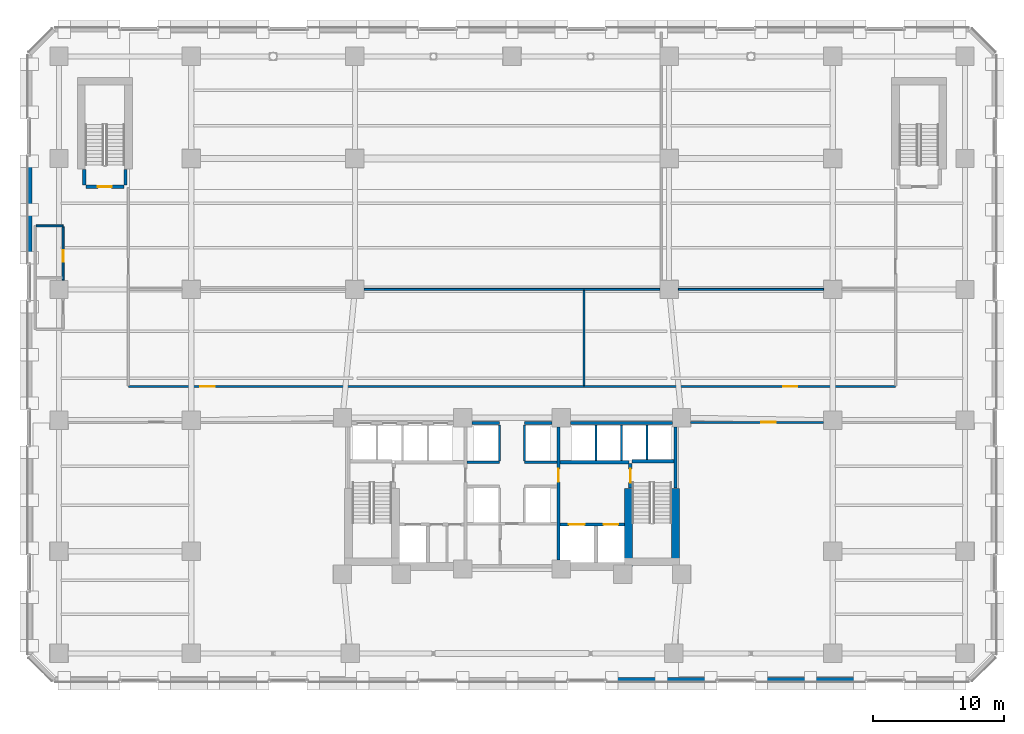
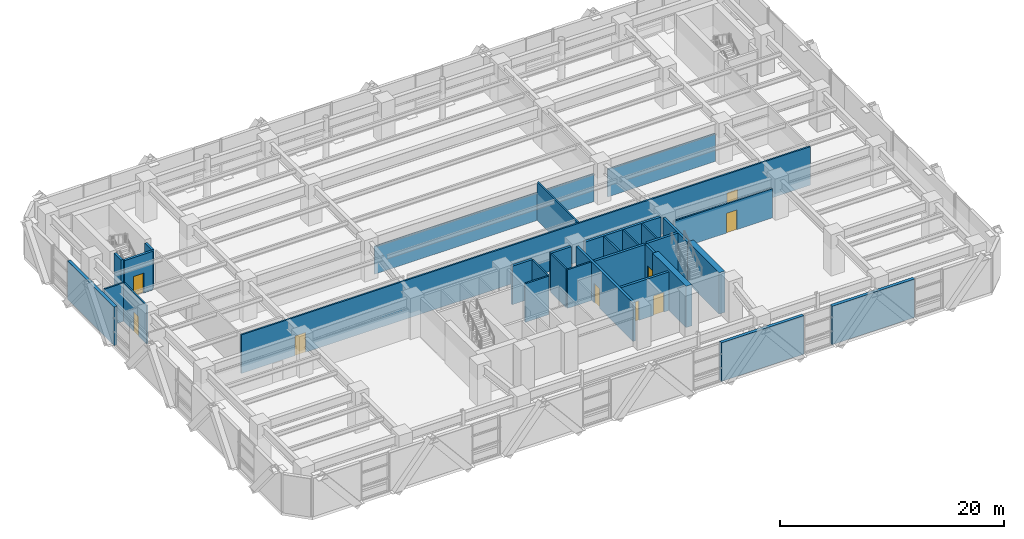
# One storey, part 15 of 26: 31 walls, 9 doors, 9 openings.
"""IFC4 building model written with IfcOpenShell, lengths in metres."""

from ifc_helpers import new_model, si_unit, direction, frame, frame_2d, origin, place, context, subcontext, project, spatial, rectangle, extrude, material, layer, layer_set, type_object, element, fill, save


model = new_model("IFC4")

# Units and contexts
model_context = context("Model", 3, precision=1e-05, world=origin(), true_north=direction((0.0, 1.0)))
body_context = subcontext(model_context, "Body", "Model", "MODEL_VIEW")
ifc_project = project(units=[si_unit("LENGTHUNIT", "METRE"), si_unit("AREAUNIT", "SQUARE_METRE"), si_unit("VOLUMEUNIT", "CUBIC_METRE"), si_unit("PLANEANGLEUNIT", "RADIAN"), si_unit("MASSUNIT", "GRAM", prefix="KILO")], contexts=[model_context])

# Site, building, storey
site_placement = place(None, origin())
site = spatial("IfcSite", under=ifc_project, at=site_placement, CompositionType="ELEMENT")
building_placement = place(site_placement, origin())
building = spatial("IfcBuilding", under=site, at=building_placement, Name="Quenlor Broadcast Tower", CompositionType="ELEMENT")
storey_placement = place(building_placement, frame((0.0, 0.0, 14.0)))
storey = spatial("IfcBuildingStorey", under=building, at=storey_placement, Name="L03", CompositionType="ELEMENT", Elevation=14.0)

# Walls
ifc_material_1 = material(Name="Acoustic Double Stud Gypsum Partition", Category="other")
ifc_layer_1 = layer(ifc_material_1, 0.14990234375)
ifc_layer_set_1 = layer_set([ifc_layer_1], Name="Broadcast Studio Acoustic Partition 150")
wall_type_1 = type_object("IfcWallType", Name="Broadcast Studio Acoustic Partition 150", PredefinedType="PARTITIONING", material=ifc_layer_set_1)
wall_1_placement = place(storey_placement, frame((5.5, -2.337890625, 0.0), z_axis=(0.0, 0.0, 1.0), x_axis=(0.0, 1.0, 0.0)))
element("IfcWall", 1, at=wall_1_placement, inside=storey, type_object=wall_type_1, Name="L03 Interior Wall PW-PD-VX", PredefinedType="PARTITIONING", context=body_context, shape_type="SweptSolid", body=[
    extrude(rectangle(XDim=7.2578125, YDim=0.14990234375, at=frame_2d((3.62890625, 0.0))), origin(), (0.0, 0.0, 1.0), 4.199951171875),
])
wall_2_placement = place(storey_placement, frame((-11.298095703125, 5.0, 0.0), z_axis=(0.0, 0.0, 1.0), x_axis=(1.0, 0.0, 0.0)))
element("IfcWall", 2, at=wall_2_placement, inside=storey, type_object=wall_type_1, Name="L03 Interior Wall PW-PD-HYS3", PredefinedType="PARTITIONING", context=body_context, shape_type="SweptSolid", body=[
    extrude(rectangle(XDim=22.59619140625, YDim=0.14990234375, at=frame_2d((11.298095703125, 0.0))), origin(), (0.0, 0.0, 1.0), 3.0),
])
wall_3_placement = place(storey_placement, frame((12.701904296875, 5.0, 0.0), z_axis=(0.0, 0.0, 1.0), x_axis=(1.0, 0.0, 0.0)))
element("IfcWall", 3, at=wall_3_placement, inside=storey, type_object=wall_type_1, Name="L03 Interior Wall PW-PD-HYS4", PredefinedType="PARTITIONING", context=body_context, shape_type="SweptSolid", body=[
    extrude(rectangle(XDim=11.09619140625, YDim=0.14990234375, at=frame_2d((5.548095703125, 0.0))), origin(), (0.0, 0.0, 1.0), 3.011962890625),
])

# Wall, opening, door
wall_4_placement = place(storey_placement, frame((-34.280029296875, 5.701904296875, 0.0), z_axis=(0.0, 0.0, 1.0), x_axis=(0.0, 1.0, 0.0)))
wall_4 = element("IfcWall", 4, at=wall_4_placement, inside=storey, type_object=wall_type_1, Name="L03 Interior Wall PW-PD-WCES2", PredefinedType="PARTITIONING", context=body_context, shape_type="SweptSolid", body=[
    extrude(rectangle(XDim=4.088134765625, YDim=0.14990234375, at=frame_2d((2.0439453125, 0.0))), origin(), (0.0, 0.0, 1.0), 4.199951171875),
])
opening_1_placement = place(wall_4_placement, frame((1.407958984375, 0.0, 0.0)))
opening_1 = element("IfcOpeningElement", 5, at=opening_1_placement, cuts=wall_4, Name="Opening ID-3", PredefinedType="OPENING", context=body_context, shape_type="SweptSolid", body=[
    extrude(rectangle(XDim=0.89990234375, YDim=2.1201171875, at=frame_2d((0.449951171875, 1.06005859375))), frame((0.0, 0.0849609375, 0.0), z_axis=(0.0, -1.0, 0.0), x_axis=(1.0, 0.0, 0.0)), (0.0, 0.0, 1.0), 0.169921875),
])
ifc_material_2 = material(Name="Moisture Resistant Timber Oak", Category="wood")
door_type_1 = type_object("IfcDoorType", Name="Washroom Privacy Door 900x2120", OperationType="NOTDEFINED", PredefinedType="DOOR", material=ifc_material_2)
door_1_placement = place(opening_1_placement, origin())
door_1 = element("IfcDoor", 6, at=door_1_placement, inside=storey, type_object=door_type_1, Name="L03 Door DR-PD-FWC", OperationType="SINGLE_SWING_RIGHT", OverallHeight=2.1201171875, OverallWidth=0.89990234375, PredefinedType="DOOR", context=body_context, shape_type="SweptSolid", body=[
    extrude(rectangle(XDim=0.89990234375, YDim=2.1201171875, at=frame_2d((0.449951171875, 1.06005859375))), frame((0.0, 0.02490234375, 0.0), z_axis=(0.0, -1.0, 0.0), x_axis=(1.0, 0.0, 0.0)), (0.0, 0.0, 1.0), 0.050048828125),
])
fill(opening_1, door_1)

# Walls
wall_5_placement = place(storey_placement, frame((-36.343017578125, 9.85009765625, 0.0), z_axis=(0.0, 0.0, 1.0), x_axis=(1.0, 0.0, 0.0)))
element("IfcWall", 7, at=wall_5_placement, inside=storey, type_object=wall_type_1, Name="L03 Interior Wall PW-PD-WCN", PredefinedType="PARTITIONING", context=body_context, shape_type="SweptSolid", body=[
    extrude(rectangle(XDim=2.06298828125, YDim=0.14990234375, at=frame_2d((1.031494140625, 0.0))), origin(), (0.0, 0.0, 1.0), 4.199951171875),
])
ifc_material_3 = material(Name="Concrete C65/80", Category="concrete")
ifc_layer_2 = layer(ifc_material_3, 0.60009765625)
ifc_layer_set_2 = layer_set([ifc_layer_2], Name="Core Concrete C65/80 Shear Wall 600")
wall_type_2 = type_object("IfcWallType", Name="Core Concrete C65/80 Shear Wall 600", PredefinedType="SHEAR", material=ifc_layer_set_2)
wall_6_placement = place(storey_placement, frame((12.5, -15.800048828125, 0.0), z_axis=(0.0, 0.0, 1.0), x_axis=(0.0, 1.0, 0.0)))
element("IfcWall", 8, at=wall_6_placement, inside=storey, type_object=wall_type_2, Name="L03 Core Shear Wall WF-E", PredefinedType="SHEAR", context=body_context, shape_type="SweptSolid", body=[
    extrude(rectangle(XDim=5.60009765625, YDim=0.60009765625, at=frame_2d((2.800048828125, 0.0))), origin(), (0.0, 0.0, 1.0), 4.5),
])
wall_7_placement = place(storey_placement, frame((8.89990234375, -16.14990234375, 0.0), z_axis=(0.0, 0.0, 1.0), x_axis=(0.0, 1.0, 0.0)))
element("IfcWall", 9, at=wall_7_placement, inside=storey, type_object=wall_type_2, Name="L03 Core Shear Wall WI-E", PredefinedType="SHEAR", context=body_context, shape_type="SweptSolid", body=[
    extrude(rectangle(XDim=5.949951171875, YDim=0.60009765625, at=frame_2d((2.97509765625, 0.0))), origin(), (0.0, 0.0, 1.0), 4.5),
])

# Wall, opening, door
ifc_material_4 = material(Name="Concrete C40/50", Category="concrete")
ifc_layer_3 = layer(ifc_material_4, 0.25)
ifc_layer_set_3 = layer_set([ifc_layer_3], Name="Fire Rated Concrete C40/50 Core Wall 250")
wall_type_3 = type_object("IfcWallType", Name="Fire Rated Concrete C40/50 Core Wall 250", PredefinedType="PARTITIONING", material=ifc_layer_set_3)
wall_8_placement = place(storey_placement, frame((9.0400390625, -10.179931640625, 0.0), z_axis=(0.0, 0.0, 1.0), x_axis=(0.0, 1.0, 0.0)))
wall_8 = element("IfcWall", 10, at=wall_8_placement, inside=storey, type_object=wall_type_3, Name="L03 Interior Wall CW-ST2-DR", PredefinedType="PARTITIONING", context=body_context, shape_type="SweptSolid", body=[
    extrude(rectangle(XDim=1.89990234375, YDim=0.25, at=frame_2d((0.949951171875, 0.0))), origin(), (0.0, 0.0, 1.0), 4.199951171875),
])
opening_2_placement = place(wall_8_placement, frame((0.419921875, 0.0, 0.0)))
opening_2 = element("IfcOpeningElement", 11, at=opening_2_placement, cuts=wall_8, Name="Opening FD-1", PredefinedType="OPENING", context=body_context, shape_type="SweptSolid", body=[
    extrude(rectangle(XDim=1.050048828125, YDim=2.14990234375, at=frame_2d((0.52490234375, 1.074951171875))), frame((0.0, 0.135009765625, 0.0), z_axis=(0.0, -1.0, 0.0), x_axis=(1.0, 0.0, 0.0)), (0.0, 0.0, 1.0), 0.27001953125),
])
ifc_material_5 = material(Name="Fire Rated Steel Door Leaf", Category="steel")
door_type_2 = type_object("IfcDoorType", Name="Fire Isolated Stair Door 1050x2150", OperationType="NOTDEFINED", PredefinedType="DOOR", material=ifc_material_5)
door_2_placement = place(opening_2_placement, origin())
door_2 = element("IfcDoor", 12, at=door_2_placement, inside=storey, type_object=door_type_2, Name="L03 Door DR-ST2", OperationType="SINGLE_SWING_RIGHT", OverallHeight=2.14990234375, OverallWidth=1.050048828125, PredefinedType="DOOR", context=body_context, shape_type="SweptSolid", body=[
    extrude(rectangle(XDim=1.050048828125, YDim=2.14990234375, at=frame_2d((0.52490234375, 1.074951171875))), frame((0.0, 0.02490234375, 0.0), z_axis=(0.0, -1.0, 0.0), x_axis=(1.0, 0.0, 0.0)), (0.0, 0.0, 1.0), 0.050048828125),
])
fill(opening_2, door_2)

# Walls
wall_9_placement = place(storey_placement, frame((9.159912109375, -8.1201171875, 0.0), z_axis=(0.0, 0.0, 1.0), x_axis=(1.0, 0.0, 0.0)))
element("IfcWall", 13, at=wall_9_placement, inside=storey, type_object=wall_type_3, Name="L03 Interior Wall CW-ST2-N", PredefinedType="PARTITIONING", context=body_context, shape_type="SweptSolid", body=[
    extrude(rectangle(XDim=3.219970703125, YDim=0.25, at=frame_2d((1.60986328125, 0.0))), origin(), (0.0, 0.0, 1.0), 4.199951171875),
])
wall_10_placement = place(storey_placement, frame((12.47998046875, -10.179931640625, 0.0), z_axis=(0.0, 0.0, 1.0), x_axis=(0.0, 1.0, 0.0)))
element("IfcWall", 14, at=wall_10_placement, inside=storey, type_object=wall_type_3, Name="L03 Interior Wall CW-ST2-E2", PredefinedType="PARTITIONING", context=body_context, shape_type="SweptSolid", body=[
    extrude(rectangle(XDim=4.677978515625, YDim=0.25, at=frame_2d((2.3388671875, 0.0))), origin(), (0.0, 0.0, 1.0), 4.199951171875),
])

# Wall, opening, door
wall_11_placement = place(storey_placement, frame((-32.550048828125, 12.840087890625, 0.0), z_axis=(0.0, 0.0, 1.0), x_axis=(1.0, 0.0, 0.0)))
wall_11 = element("IfcWall", 15, at=wall_11_placement, inside=storey, type_object=wall_type_3, Name="L03 Interior Wall CW-ST3-S", PredefinedType="PARTITIONING", context=body_context, shape_type="SweptSolid", body=[
    extrude(rectangle(XDim=2.900146484375, YDim=0.25, at=frame_2d((1.4501953125, 0.0))), origin(), (0.0, 0.0, 1.0), 4.199951171875),
])
opening_3_placement = place(wall_11_placement, frame((0.919921875, 0.0, 0.0)))
opening_3 = element("IfcOpeningElement", 16, at=opening_3_placement, cuts=wall_11, Name="Opening FD-1", PredefinedType="OPENING", context=body_context, shape_type="SweptSolid", body=[
    extrude(rectangle(XDim=1.050048828125, YDim=2.14990234375, at=frame_2d((0.52490234375, 1.074951171875))), frame((0.0, 0.135009765625, 0.0), z_axis=(0.0, -1.0, 0.0), x_axis=(1.0, 0.0, 0.0)), (0.0, 0.0, 1.0), 0.27001953125),
])
door_3_placement = place(opening_3_placement, origin())
door_3 = element("IfcDoor", 17, at=door_3_placement, inside=storey, type_object=door_type_2, Name="L03 Door DR-ST3", OperationType="SINGLE_SWING_LEFT", OverallHeight=2.14990234375, OverallWidth=1.050048828125, PredefinedType="DOOR", context=body_context, shape_type="SweptSolid", body=[
    extrude(rectangle(XDim=1.050048828125, YDim=2.14990234375, at=frame_2d((0.52490234375, 1.074951171875))), frame((0.0, 0.02490234375, 0.0), z_axis=(0.0, -1.0, 0.0), x_axis=(1.0, 0.0, 0.0)), (0.0, 0.0, 1.0), 0.050048828125),
])
fill(opening_3, door_3)

# Walls
for number, where, z_axis, x_axis, name in (
    (18, (-32.679931640625, 12.9599609375, 0.0), (0.0, 0.0, 1.0), (0.0, 1.0, 0.0), "L03 Interior Wall CW-ST3-W1"),
    (19, (-29.52001953125, 12.9599609375, 0.0), (0.0, 0.0, 1.0), (0.0, 1.0, 0.0), "L03 Interior Wall CW-ST3-E1"),
):
    element("IfcWall", number, at=place(storey_placement, frame(where, z_axis=z_axis, x_axis=x_axis)), inside=storey, type_object=wall_type_3, Name=name, PredefinedType="PARTITIONING", context=body_context, shape_type="SweptSolid", body=[
        extrude(rectangle(XDim=1.219970703125, YDim=0.25, at=frame_2d((0.60986328125, 0.0))), origin(), (0.0, 0.0, 1.0), 4.199951171875),
    ])

# Wall, openings, doors
wall_12_placement = place(storey_placement, frame((3.679931640625, -12.949951171875, 0.0), z_axis=(0.0, 0.0, 1.0), x_axis=(1.0, 0.0, 0.0)))
wall_12 = element("IfcWall", 20, at=wall_12_placement, inside=storey, type_object=wall_type_3, Name="L03 Interior Wall CW-FFE-S", PredefinedType="PARTITIONING", context=body_context, shape_type="SweptSolid", body=[
    extrude(rectangle(XDim=4.91796875, YDim=0.25, at=frame_2d((2.458984375, 0.0))), origin(), (0.0, 0.0, 1.0), 4.199951171875),
])
opening_4_placement = place(wall_12_placement, frame((3.320068359375, 0.0, 0.0)))
opening_4 = element("IfcOpeningElement", 21, at=opening_4_placement, cuts=wall_12, Name="Opening LD-FFL-2", PredefinedType="OPENING", context=body_context, shape_type="SweptSolid", body=[
    extrude(rectangle(XDim=1.10009765625, YDim=2.14990234375, at=frame_2d((0.550048828125, 1.074951171875))), frame((0.0, 0.135009765625, 0.0), z_axis=(0.0, -1.0, 0.0), x_axis=(1.0, 0.0, 0.0)), (0.0, 0.0, 1.0), 0.27001953125),
])
opening_5_placement = place(wall_12_placement, frame((0.669921875, 0.0, 0.0)))
opening_5 = element("IfcOpeningElement", 22, at=opening_5_placement, cuts=wall_12, Name="Opening LD-SVL-1", PredefinedType="OPENING", context=body_context, shape_type="SweptSolid", body=[
    extrude(rectangle(XDim=1.199951171875, YDim=2.14990234375, at=frame_2d((0.60009765625, 1.074951171875))), frame((0.0, 0.135009765625, 0.0), z_axis=(0.0, -1.0, 0.0), x_axis=(1.0, 0.0, 0.0)), (0.0, 0.0, 1.0), 0.27001953125),
])
ifc_material_6 = material(Name="Brushed Stainless Steel", Category="steel")
door_type_3 = type_object("IfcDoorType", Name="Emergency Lift Sliding Landing Door 1100x2150", OperationType="NOTDEFINED", PredefinedType="DOOR", material=ifc_material_6)
door_4_placement = place(opening_4_placement, origin())
door_4 = element("IfcDoor", 23, at=door_4_placement, inside=storey, type_object=door_type_3, Name="L03 Door LD-FFL-2", OperationType="SLIDING_TO_RIGHT", OverallHeight=2.14990234375, OverallWidth=1.10009765625, PredefinedType="DOOR", context=body_context, shape_type="SweptSolid", body=[
    extrude(rectangle(XDim=1.10009765625, YDim=2.14990234375, at=frame_2d((0.550048828125, 1.074951171875))), frame((0.0, 0.02490234375, 0.0), z_axis=(0.0, -1.0, 0.0), x_axis=(1.0, 0.0, 0.0)), (0.0, 0.0, 1.0), 0.050048828125),
])
fill(opening_4, door_4)
ifc_material_7 = material(Name="Brushed Stainless Steel", Category="steel")
door_type_4 = type_object("IfcDoorType", Name="Goods Lift Sliding Landing Door 1200x2150", OperationType="NOTDEFINED", PredefinedType="DOOR", material=ifc_material_7)
door_5_placement = place(opening_5_placement, origin())
door_5 = element("IfcDoor", 24, at=door_5_placement, inside=storey, type_object=door_type_4, Name="L03 Door LD-SVL-1", OperationType="SLIDING_TO_LEFT", OverallHeight=2.14990234375, OverallWidth=1.199951171875, PredefinedType="DOOR", context=body_context, shape_type="SweptSolid", body=[
    extrude(rectangle(XDim=1.199951171875, YDim=2.14990234375, at=frame_2d((0.60009765625, 1.074951171875))), frame((0.0, 0.02490234375, 0.0), z_axis=(0.0, -1.0, 0.0), x_axis=(1.0, 0.0, 0.0)), (0.0, 0.0, 1.0), 0.050048828125),
])
fill(opening_5, door_5)

# Wall
wall_13_placement = place(storey_placement, frame((3.679931640625, -8.199951171875, 0.0), z_axis=(0.0, 0.0, 1.0), x_axis=(1.0, 0.0, 0.0)))
element("IfcWall", 25, at=wall_13_placement, inside=storey, type_object=wall_type_3, Name="L03 Interior Wall CW-FFE-N", PredefinedType="PARTITIONING", context=body_context, shape_type="SweptSolid", body=[
    extrude(rectangle(XDim=5.239990234375, YDim=0.25, at=frame_2d((2.6201171875, 0.0))), origin(), (0.0, 0.0, 1.0), 4.199951171875),
])

# Wall, opening, door
wall_14_placement = place(storey_placement, frame((3.550048828125, -15.64794921875, 0.0), z_axis=(0.0, 0.0, 1.0), x_axis=(0.0, 1.0, 0.0)))
wall_14 = element("IfcWall", 26, at=wall_14_placement, inside=storey, type_object=wall_type_3, Name="L03 Interior Wall CW-FFE-W", PredefinedType="PARTITIONING", context=body_context, shape_type="SweptSolid", body=[
    extrude(rectangle(XDim=10.14599609375, YDim=0.25, at=frame_2d((5.072998046875, 0.0))), origin(), (0.0, 0.0, 1.0), 4.199951171875),
])
opening_6_placement = place(wall_14_placement, frame((5.947998046875, 0.0, 0.0)))
opening_6 = element("IfcOpeningElement", 27, at=opening_6_placement, cuts=wall_14, Name="Opening FD-2", PredefinedType="OPENING", context=body_context, shape_type="SweptSolid", body=[
    extrude(rectangle(XDim=1.0, YDim=2.14990234375, at=frame_2d((0.5, 1.074951171875))), frame((0.0, 0.135009765625, 0.0), z_axis=(0.0, -1.0, 0.0), x_axis=(1.0, 0.0, 0.0)), (0.0, 0.0, 1.0), 0.27001953125),
])
ifc_material_8 = material(Name="Fire Rated Glazed Steel Door", Category="steel")
door_type_5 = type_object("IfcDoorType", Name="Firefighting Lobby Smoke Door 1000x2150", OperationType="NOTDEFINED", PredefinedType="DOOR", material=ifc_material_8)
door_6_placement = place(opening_6_placement, origin())
door_6 = element("IfcDoor", 28, at=door_6_placement, inside=storey, type_object=door_type_5, Name="L03 Door DR-FFLE", OperationType="SINGLE_SWING_LEFT", OverallHeight=2.14990234375, OverallWidth=1.0, PredefinedType="DOOR", context=body_context, shape_type="SweptSolid", body=[
    extrude(rectangle(XDim=1.0, YDim=2.14990234375, at=frame_2d((0.5, 1.074951171875))), frame((0.0, 0.02490234375, 0.0), z_axis=(0.0, -1.0, 0.0), x_axis=(1.0, 0.0, 0.0)), (0.0, 0.0, 1.0), 0.050048828125),
])
fill(opening_6, door_6)

# Walls
wall_15_placement = place(storey_placement, frame((4.451904296875, -5.199951171875, 0.0), z_axis=(0.0, 0.0, 1.0), x_axis=(1.0, 0.0, 0.0)))
element("IfcWall", 29, at=wall_15_placement, inside=storey, type_object=wall_type_3, Name="L03 Interior Wall CW-N-E", PredefinedType="PARTITIONING", context=body_context, shape_type="SweptSolid", body=[
    extrude(rectangle(XDim=7.796142578125, YDim=0.25, at=frame_2d((3.89794921875, 0.0))), origin(), (0.0, 0.0, 1.0), 4.199951171875),
])
for number, where, z_axis, x_axis, name in (
    (30, (-3.048095703125, -5.199951171875, 0.0), (0.0, 0.0, 1.0), (1.0, 0.0, 0.0), "L03 Interior Wall CW-N-M1"),
    (31, (0.949951171875, -5.199951171875, 0.0), (0.0, 0.0, 1.0), (1.0, 0.0, 0.0), "L03 Interior Wall CW-N-M2"),
):
    element("IfcWall", number, at=place(storey_placement, frame(where, z_axis=z_axis, x_axis=x_axis)), inside=storey, type_object=wall_type_3, Name=name, PredefinedType="PARTITIONING", context=body_context, shape_type="SweptSolid", body=[
        extrude(rectangle(XDim=2.09814453125, YDim=0.25, at=frame_2d((1.049072265625, 0.0))), origin(), (0.0, 0.0, 1.0), 4.199951171875),
    ])
ifc_material_9 = material(Name="Gypsum Fireboard Partition", Category="other")
ifc_layer_4 = layer(ifc_material_9, 0.159912109375)
ifc_layer_set_4 = layer_set([ifc_layer_4], Name="Fire Rated Shaft and Corridor Partition 160")
wall_type_4 = type_object("IfcWallType", Name="Fire Rated Shaft and Corridor Partition 160", PredefinedType="PARTITIONING", material=ifc_layer_set_4)
for number, where, z_axis, x_axis, name in (
    (32, (6.425048828125, -8.072998046875, 0.0), (0.0, 0.0, 1.0), (0.0, 1.0, 0.0), "L03 Interior Wall CW-PLH-D1"),
    (33, (8.375, -8.072998046875, 0.0), (0.0, 0.0, 1.0), (0.0, 1.0, 0.0), "L03 Interior Wall CW-PLH-D2"),
):
    element("IfcWall", number, at=place(storey_placement, frame(where, z_axis=z_axis, x_axis=x_axis)), inside=storey, type_object=wall_type_4, Name=name, PredefinedType="PARTITIONING", context=body_context, shape_type="SweptSolid", body=[
        extrude(rectangle(XDim=2.73291015625, YDim=0.159912109375, at=frame_2d((1.366455078125, 0.0))), origin(), (0.0, 0.0, 1.0), 4.199951171875),
    ])
wall_16_placement = place(storey_placement, frame((10.324951171875, -7.992919921875, 0.0), z_axis=(0.0, 0.0, 1.0), x_axis=(0.0, 1.0, 0.0)))
element("IfcWall", 34, at=wall_16_placement, inside=storey, type_object=wall_type_4, Name="L03 Interior Wall CW-PLH-D3", PredefinedType="PARTITIONING", context=body_context, shape_type="SweptSolid", body=[
    extrude(rectangle(XDim=2.65283203125, YDim=0.159912109375, at=frame_2d((1.326416015625, 0.0))), origin(), (0.0, 0.0, 1.0), 4.199951171875),
])
for number, where, z_axis, x_axis, name in (
    (35, (-0.949951171875, -8.1201171875, 0.0), (0.0, 0.0, 1.0), (0.0, 1.0, 0.0), "L03 Interior Wall CW-CCRP-W"),
    (36, (0.949951171875, -8.1201171875, 0.0), (0.0, 0.0, 1.0), (0.0, 1.0, 0.0), "L03 Interior Wall CW-CCRP-E"),
):
    element("IfcWall", number, at=place(storey_placement, frame(where, z_axis=z_axis, x_axis=x_axis)), inside=storey, type_object=wall_type_4, Name=name, PredefinedType="PARTITIONING", context=body_context, shape_type="SweptSolid", body=[
        extrude(rectangle(XDim=2.780029296875, YDim=0.159912109375, at=frame_2d((1.39013671875, 0.0))), origin(), (0.0, 0.0, 1.0), 4.199951171875),
    ])
for number, where, z_axis, x_axis, name in (
    (37, (-3.419921875, -8.199951171875, 0.0), (0.0, 0.0, 1.0), (1.0, 0.0, 0.0), "L03 Interior Wall CW-M-BACK1"),
    (38, (0.949951171875, -8.199951171875, 0.0), (0.0, 0.0, 1.0), (1.0, 0.0, 0.0), "L03 Interior Wall CW-M-BACK2"),
):
    element("IfcWall", number, at=place(storey_placement, frame(where, z_axis=z_axis, x_axis=x_axis)), inside=storey, type_object=wall_type_4, Name=name, PredefinedType="PARTITIONING", context=body_context, shape_type="SweptSolid", body=[
        extrude(rectangle(XDim=2.469970703125, YDim=0.159912109375, at=frame_2d((1.23486328125, 0.0))), origin(), (0.0, 0.0, 1.0), 4.199951171875),
    ])

# Wall, openings, doors
wall_17_placement = place(storey_placement, frame((-29.300048828125, -2.419921875, 0.0), z_axis=(0.0, 0.0, 1.0), x_axis=(1.0, 0.0, 0.0)))
wall_17 = element("IfcWall", 39, at=wall_17_placement, inside=storey, type_object=wall_type_4, Name="L03 Interior Wall PW-PD-CN", PredefinedType="PARTITIONING", context=body_context, shape_type="SweptSolid", body=[
    extrude(rectangle(XDim=58.60009765625, YDim=0.159912109375, at=frame_2d((29.300048828125, 0.0))), origin(), (0.0, 0.0, 1.0), 4.199951171875),
])
opening_7_placement = place(wall_17_placement, frame((5.5, 0.0, 0.0)))
opening_7 = element("IfcOpeningElement", 40, at=opening_7_placement, cuts=wall_17, Name="Opening ID-2", PredefinedType="OPENING", context=body_context, shape_type="SweptSolid", body=[
    extrude(rectangle(XDim=1.10009765625, YDim=2.14990234375, at=frame_2d((0.550048828125, 1.074951171875))), frame((0.0, 0.08984375, 0.0), z_axis=(0.0, -1.0, 0.0), x_axis=(1.0, 0.0, 0.0)), (0.0, 0.0, 1.0), 0.179931640625),
])
opening_8_placement = place(wall_17_placement, frame((50.0, 0.0, 0.0)))
opening_8 = element("IfcOpeningElement", 41, at=opening_8_placement, cuts=wall_17, Name="Opening ID-2", PredefinedType="OPENING", context=body_context, shape_type="SweptSolid", body=[
    extrude(rectangle(XDim=1.10009765625, YDim=2.14990234375, at=frame_2d((0.550048828125, 1.074951171875))), frame((0.0, 0.08984375, 0.0), z_axis=(0.0, -1.0, 0.0), x_axis=(1.0, 0.0, 0.0)), (0.0, 0.0, 1.0), 0.179931640625),
])
ifc_material_10 = material(Name="Acoustic Laminated Timber Oak", Category="wood")
door_type_6 = type_object("IfcDoorType", Name="Wide Studio Acoustic Timber Door 1100x2150", OperationType="NOTDEFINED", PredefinedType="DOOR", material=ifc_material_10)
door_7_placement = place(opening_7_placement, origin())
door_7 = element("IfcDoor", 42, at=door_7_placement, inside=storey, type_object=door_type_6, Name="L03 Door DR-PD3", OperationType="SINGLE_SWING_LEFT", OverallHeight=2.14990234375, OverallWidth=1.10009765625, PredefinedType="DOOR", context=body_context, shape_type="SweptSolid", body=[
    extrude(rectangle(XDim=1.10009765625, YDim=2.14990234375, at=frame_2d((0.550048828125, 1.074951171875))), frame((0.0, 0.02490234375, 0.0), z_axis=(0.0, -1.0, 0.0), x_axis=(1.0, 0.0, 0.0)), (0.0, 0.0, 1.0), 0.050048828125),
])
fill(opening_7, door_7)
door_8_placement = place(opening_8_placement, origin())
door_8 = element("IfcDoor", 43, at=door_8_placement, inside=storey, type_object=door_type_6, Name="L03 Door DR-PD4", OperationType="SINGLE_SWING_RIGHT", OverallHeight=2.14990234375, OverallWidth=1.10009765625, PredefinedType="DOOR", context=body_context, shape_type="SweptSolid", body=[
    extrude(rectangle(XDim=1.10009765625, YDim=2.14990234375, at=frame_2d((0.550048828125, 1.074951171875))), frame((0.0, 0.02490234375, 0.0), z_axis=(0.0, -1.0, 0.0), x_axis=(1.0, 0.0, 0.0)), (0.0, 0.0, 1.0), 0.050048828125),
])
fill(opening_8, door_8)

# Wall, opening, door
wall_18_placement = place(storey_placement, frame((13.652099609375, -5.14990234375, 0.0), z_axis=(0.0, 0.0, 1.0), x_axis=(1.0, 0.0, 0.0)))
wall_18 = element("IfcWall", 44, at=wall_18_placement, inside=storey, type_object=wall_type_4, Name="L03 Interior Wall PW-PD-CSE", PredefinedType="PARTITIONING", context=body_context, shape_type="SweptSolid", body=[
    extrude(rectangle(XDim=10.14599609375, YDim=0.159912109375, at=frame_2d((5.072998046875, 0.0))), origin(), (0.0, 0.0, 1.0), 3.176025390625),
])
opening_9_placement = place(wall_18_placement, frame((5.39794921875, 0.0, 0.0)))
opening_9 = element("IfcOpeningElement", 45, at=opening_9_placement, cuts=wall_18, Name="Opening ID-2", PredefinedType="OPENING", context=body_context, shape_type="SweptSolid", body=[
    extrude(rectangle(XDim=1.10009765625, YDim=2.14990234375, at=frame_2d((0.550048828125, 1.074951171875))), frame((0.0, 0.08984375, 0.0), z_axis=(0.0, -1.0, 0.0), x_axis=(1.0, 0.0, 0.0)), (0.0, 0.0, 1.0), 0.179931640625),
])
door_9_placement = place(opening_9_placement, origin())
door_9 = element("IfcDoor", 46, at=door_9_placement, inside=storey, type_object=door_type_6, Name="L03 Door DR-PD2", OperationType="SINGLE_SWING_RIGHT", OverallHeight=2.14990234375, OverallWidth=1.10009765625, PredefinedType="DOOR", context=body_context, shape_type="SweptSolid", body=[
    extrude(rectangle(XDim=1.10009765625, YDim=2.14990234375, at=frame_2d((0.550048828125, 1.074951171875))), frame((0.0, 0.02490234375, 0.0), z_axis=(0.0, -1.0, 0.0), x_axis=(1.0, 0.0, 0.0)), (0.0, 0.0, 1.0), 0.050048828125),
])
fill(opening_9, door_9)

# Walls
ifc_material_11 = material(Name="Precast concrete C40/50", Category="concrete")
ifc_layer_5 = layer(ifc_material_11, 0.320068359375)
ifc_layer_set_5 = layer_set([ifc_layer_5], Name="Station Podium Precast Concrete C40/50 Facade Wall 320")
wall_type_5 = type_object("IfcWallType", Name="Station Podium Precast Concrete C40/50 Facade Wall 320", PredefinedType="STANDARD", material=ifc_layer_set_5)
for number, where, z_axis, x_axis, name in (
    (47, (27.049560546875, -24.820068359375, 0.0), (0.0, 0.0, 1.0), (-1.0, 0.0, 0.0), "L03 Exterior Wall L03-S-FULL-SP2"),
    (48, (15.6494140625, -24.820068359375, 0.0), (0.0, 0.0, 1.0), (-1.0, 0.0, 0.0), "L03 Exterior Wall L03-S-FULL-SP3"),
):
    element("IfcWall", number, at=place(storey_placement, frame(where, z_axis=z_axis, x_axis=x_axis)), inside=storey, type_object=wall_type_5, Name=name, PredefinedType="STANDARD", context=body_context, shape_type="SweptSolid", body=[
        extrude(rectangle(XDim=8.4990234375, YDim=0.320068359375, at=frame_2d((4.24951171875, 0.0))), origin(), (0.0, 0.0, 1.0), 4.199951171875),
    ])
wall_19_placement = place(storey_placement, frame((-36.820068359375, 6.947265625, 0.0), z_axis=(0.0, 0.0, 1.0), x_axis=(0.0, 1.0, 0.0)))
element("IfcWall", 49, at=wall_19_placement, inside=storey, type_object=wall_type_5, Name="L03 Exterior Wall L03-W-FULL-SP4", PredefinedType="STANDARD", context=body_context, shape_type="SweptSolid", body=[
    extrude(rectangle(XDim=8.305419921875, YDim=0.320068359375, at=frame_2d((4.15283203125, 0.0))), origin(), (0.0, 0.0, 1.0), 4.199951171875),
])

save(model, "model.ifc")
